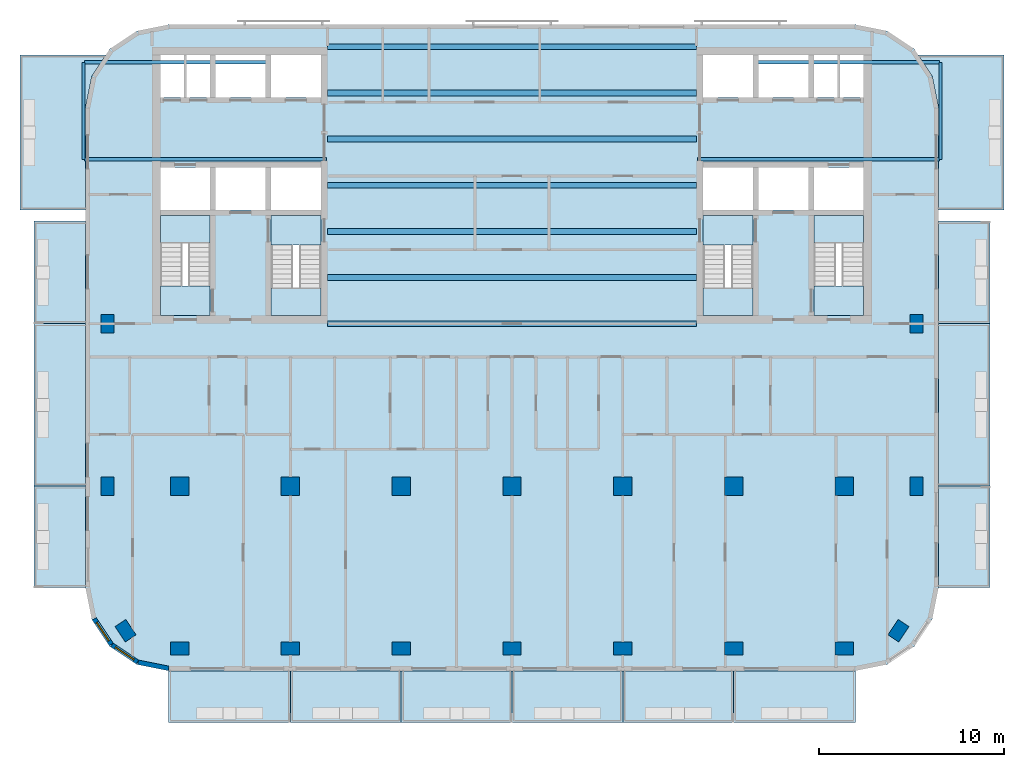
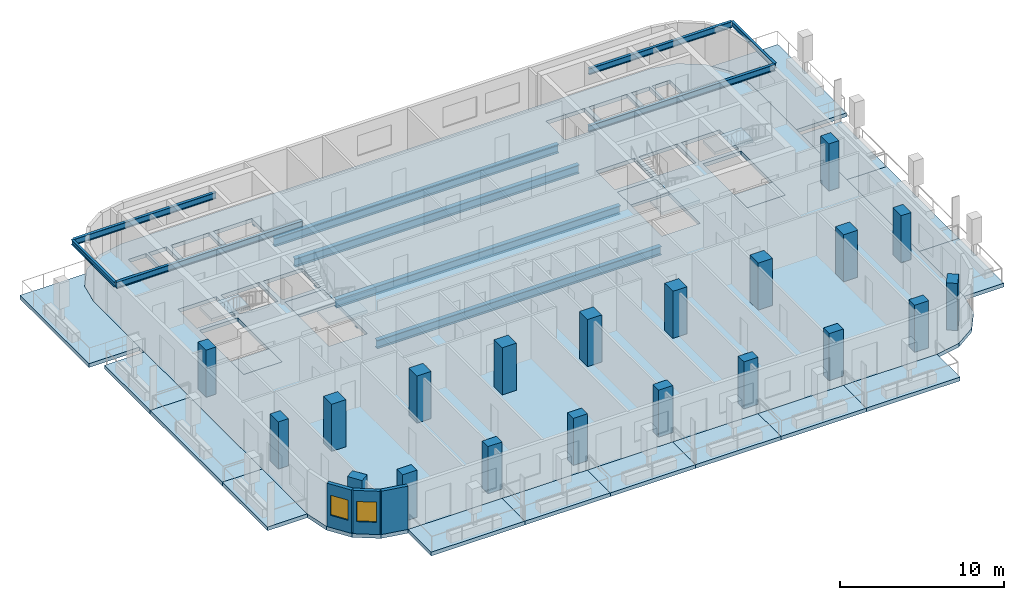
# One storey, part 1 of 11: 23 slabs, 20 columns, 13 beams, 3 walls, 2 windows, 2 openings, 4 elements without a shape of their own.
"""IFC4 building model written with IfcOpenShell, lengths in metres."""

from ifc_helpers import new_model, si_unit, direction, frame, frame_2d, origin, origin_2d, place, context, subcontext, project, spatial, polyline, rectangle, i_section, outline, extrude, material, layer, layer_set, material_profile, profile_set, type_object, element, fill, aggregate, save


model = new_model("IFC4")

# Units and contexts
model_context = context("Model", 3, precision=1e-05, world=origin(), true_north=direction((0.0, 1.0)))
body_context = subcontext(model_context, "Body", "Model", "MODEL_VIEW")
ifc_project = project(units=[si_unit("LENGTHUNIT", "METRE"), si_unit("AREAUNIT", "SQUARE_METRE"), si_unit("VOLUMEUNIT", "CUBIC_METRE"), si_unit("PLANEANGLEUNIT", "RADIAN"), si_unit("MASSUNIT", "GRAM", prefix="KILO")], contexts=[model_context])

# Site, building, storey
site_placement = place(None, origin())
site = spatial("IfcSite", under=ifc_project, at=site_placement, CompositionType="ELEMENT")
building_placement = place(site_placement, origin())
building = spatial("IfcBuilding", under=site, at=building_placement, Name="Torana Hotel and Residences", CompositionType="ELEMENT")
storey_placement = place(building_placement, frame((0.0, 0.0, 287.60009765625)))
storey = spatial("IfcBuildingStorey", under=building, at=storey_placement, Name="L76", CompositionType="ELEMENT", Elevation=287.60009765625)

# Columns
ifc_material_1 = material(Name="Concrete C50/60", Category="concrete")
ifc_material_profile_1 = material_profile(ifc_material_1, rectangle(XDim=1.0, YDim=1.0, at=origin_2d()), Name="RC 1000x1000")
ifc_profile_set_1 = profile_set([ifc_material_profile_1], Name="Concrete C50/60")
column_type_1 = type_object("IfcColumnType", Name="COLUMN RC 1000x1000 C50/60", PredefinedType="COLUMN", material=ifc_profile_set_1)
for number, where, z_axis, x_axis, name in (
    (1, (-18.0, -23.800048828125, 0.0), (0.0, 0.0, 1.0), (1.0, 0.0, 0.0), "Column L76"),
    (2, (-12.0, -23.800048828125, 0.0), (0.0, 0.0, 1.0), (1.0, 0.0, 0.0), "Column L76"),
    (3, (-6.0, -23.800048828125, 0.0), (0.0, 0.0, 1.0), (1.0, 0.0, 0.0), "Column L76"),
    (4, (0.0, -23.800048828125, 0.0), (0.0, 0.0, 1.0), (1.0, 0.0, 0.0), "Column L76"),
    (5, (6.0, -23.800048828125, 0.0), (0.0, 0.0, 1.0), (1.0, 0.0, 0.0), "Column L76"),
    (6, (12.0, -23.800048828125, 0.0), (0.0, 0.0, 1.0), (1.0, 0.0, 0.0), "Column L76"),
    (7, (18.0, -23.800048828125, 0.0), (0.0, 0.0, 1.0), (1.0, 0.0, 0.0), "Column L76"),
):
    element("IfcColumn", number, at=place(storey_placement, frame(where, z_axis=z_axis, x_axis=x_axis)), inside=storey, type_object=column_type_1, Name=name, PredefinedType="COLUMN", context=body_context, shape_type="SweptSolid", body=[
        extrude(rectangle(XDim=1.0, YDim=1.0, at=origin_2d()), origin(), (0.0, 0.0, 1.0), 3.5),
    ])
ifc_material_2 = material(Name="Concrete C50/60", Category="concrete")
ifc_material_profile_2 = material_profile(ifc_material_2, rectangle(XDim=1.0, YDim=0.699951171875, at=origin_2d()), Name="RC 1000x700")
ifc_profile_set_2 = profile_set([ifc_material_profile_2], Name="Concrete C50/60")
column_type_2 = type_object("IfcColumnType", Name="COLUMN RC 1000x700 C50/60", PredefinedType="COLUMN", material=ifc_profile_set_2)
for number, where, z_axis, x_axis, name in (
    (8, (-21.89990234375, -23.800048828125, 0.0), (0.0, 0.0, 1.0), (0.0, 1.0, 0.0), "Column L76"),
    (9, (-21.89990234375, -15.0, 0.0), (0.0, 0.0, 1.0), (0.0, 1.0, 0.0), "Column L76"),
    (10, (-20.93310546875, -31.633056640625, 0.0), (0.0, 0.0, 1.0), (-0.555584744817, 0.831459915646, 0.0), "Column L76"),
    (11, (-18.0, -32.60009765625, 0.0), (0.0, 0.0, 1.0), (1.0, 0.0, 0.0), "Column L76"),
    (12, (-12.0, -32.60009765625, 0.0), (0.0, 0.0, 1.0), (1.0, 0.0, 0.0), "Column L76"),
    (13, (-6.0, -32.60009765625, 0.0), (0.0, 0.0, 1.0), (1.0, 0.0, 0.0), "Column L76"),
    (14, (0.0, -32.60009765625, 0.0), (0.0, 0.0, 1.0), (1.0, 0.0, 0.0), "Column L76"),
    (15, (6.0, -32.60009765625, 0.0), (0.0, 0.0, 1.0), (1.0, 0.0, 0.0), "Column L76"),
    (16, (12.0, -32.60009765625, 0.0), (0.0, 0.0, 1.0), (1.0, 0.0, 0.0), "Column L76"),
    (17, (18.0, -32.60009765625, 0.0), (0.0, 0.0, 1.0), (1.0, 0.0, 0.0), "Column L76"),
    (18, (20.93310546875, -31.633056640625, 0.0), (0.0, 0.0, 1.0), (0.555584744817, 0.831459915646, 0.0), "Column L76"),
    (19, (21.89990234375, -23.800048828125, 0.0), (0.0, 0.0, 1.0), (0.0, 1.0, 0.0), "Column L76"),
    (20, (21.89990234375, -15.0, 0.0), (0.0, 0.0, 1.0), (0.0, 1.0, 0.0), "Column L76"),
):
    element("IfcColumn", number, at=place(storey_placement, frame(where, z_axis=z_axis, x_axis=x_axis)), inside=storey, type_object=column_type_2, Name=name, PredefinedType="COLUMN", context=body_context, shape_type="SweptSolid", body=[
        extrude(rectangle(XDim=1.0, YDim=0.699951171875, at=origin_2d()), origin(), (0.0, 0.0, 1.0), 3.5),
    ])

# Beams
ifc_material_3 = material(Name="Steel S355", Category="steel")
ifc_material_profile_3 = material_profile(ifc_material_3, i_section(OverallWidth=0.19287109375, OverallDepth=0.46728515625, WebThickness=0.011474609375, FlangeThickness=0.01953125, FilletRadius=0.01025390625, at=origin_2d()), Name="457x191x98 UB")
ifc_profile_set_3 = profile_set([ifc_material_profile_3], Name="Steel S355")
beam_type_1 = type_object("IfcBeamType", Name="BALCONY CANTILEVER BEAM 457x191x98 UB", PredefinedType="BEAM", material=ifc_profile_set_3)
beam_1_placement = place(storey_placement, frame((-23.1484375, -6.10009765625, 2.986328125), z_axis=(1.0, 0.0, 0.0), x_axis=(0.0, 1.0, 0.0)))
element("IfcBeam", 21, at=beam_1_placement, inside=storey, type_object=beam_type_1, Name="Balcony cantilever beam", PredefinedType="BEAM", context=body_context, shape_type="SweptSolid", body=[
    extrude(i_section(OverallWidth=0.19287109375, OverallDepth=0.46728515625, WebThickness=0.011474609375, FlangeThickness=0.01953125, FilletRadius=0.01025390625, at=origin_2d()), origin(), (0.0, 0.0, 1.0), 13.098388671875),
])
beam_2_placement = place(storey_placement, frame((-23.1484375, -0.85009765625, 2.986328125), z_axis=(1.0, 0.0, 0.0), x_axis=(0.0, 1.0, 0.0)))
element("IfcBeam", 22, at=beam_2_placement, inside=storey, type_object=beam_type_1, Name="Balcony cantilever beam", PredefinedType="BEAM", context=body_context, shape_type="SweptSolid", body=[
    extrude(i_section(OverallWidth=0.19287109375, OverallDepth=0.46728515625, WebThickness=0.011474609375, FlangeThickness=0.01953125, FilletRadius=0.01025390625, at=origin_2d()), origin(), (0.0, 0.0, 1.0), 10.04833984375),
])
beam_3_placement = place(storey_placement, frame((23.1484375, -6.10009765625, 2.986328125), z_axis=(-1.0, 0.0, 0.0), x_axis=(0.0, -1.0, 0.0)))
element("IfcBeam", 23, at=beam_3_placement, inside=storey, type_object=beam_type_1, Name="Balcony cantilever beam", PredefinedType="BEAM", context=body_context, shape_type="SweptSolid", body=[
    extrude(i_section(OverallWidth=0.19287109375, OverallDepth=0.46728515625, WebThickness=0.011474609375, FlangeThickness=0.01953125, FilletRadius=0.01025390625, at=origin_2d()), origin(), (0.0, 0.0, 1.0), 13.098388671875),
])
beam_4_placement = place(storey_placement, frame((23.1484375, -0.85009765625, 2.986328125), z_axis=(-1.0, 0.0, 0.0), x_axis=(0.0, -1.0, 0.0)))
element("IfcBeam", 24, at=beam_4_placement, inside=storey, type_object=beam_type_1, Name="Balcony cantilever beam", PredefinedType="BEAM", context=body_context, shape_type="SweptSolid", body=[
    extrude(i_section(OverallWidth=0.19287109375, OverallDepth=0.46728515625, WebThickness=0.011474609375, FlangeThickness=0.01953125, FilletRadius=0.01025390625, at=origin_2d()), origin(), (0.0, 0.0, 1.0), 10.04833984375),
])
ifc_material_4 = material(Name="Steel S355", Category="steel")
ifc_material_profile_4 = material_profile(ifc_material_4, i_section(OverallWidth=0.173095703125, OverallDepth=0.36328125, WebThickness=0.009033203125, FlangeThickness=0.015625, FilletRadius=0.01025390625, at=origin_2d()), Name="356x171x67 UB")
ifc_profile_set_4 = profile_set([ifc_material_profile_4], Name="Steel S355")
beam_type_2 = type_object("IfcBeamType", Name="BALCONY TIP BEAM 356x171x67 UB", PredefinedType="BEAM", material=ifc_profile_set_4)
for number, where, z_axis, x_axis, name in (
    (25, (-23.205078125, -6.10009765625, 3.0380859375), (0.0, 1.0, 0.0), (-1.0, 0.0, 0.0), "Balcony tip beam"),
    (26, (23.205078125, -6.10009765625, 3.0380859375), (0.0, 1.0, 0.0), (-1.0, 0.0, 0.0), "Balcony tip beam"),
):
    element("IfcBeam", number, at=place(storey_placement, frame(where, z_axis=z_axis, x_axis=x_axis)), inside=storey, type_object=beam_type_2, Name=name, PredefinedType="BEAM", context=body_context, shape_type="SweptSolid", body=[
        extrude(i_section(OverallWidth=0.173095703125, OverallDepth=0.36328125, WebThickness=0.009033203125, FlangeThickness=0.015625, FilletRadius=0.01025390625, at=origin_2d()), origin(), (0.0, 0.0, 1.0), 5.25),
    ])
ifc_material_5 = material(Name="Steel S355", Category="steel")
ifc_material_profile_5 = material_profile(ifc_material_5, i_section(OverallWidth=0.311279296875, OverallDepth=0.6357421875, WebThickness=0.018310546875, FlangeThickness=0.031494140625, FilletRadius=0.0166015625, at=origin_2d()), Name="610x305x238 UB")
ifc_profile_set_5 = profile_set([ifc_material_profile_5], Name="Steel S355")
beam_type_3 = type_object("IfcBeamType", Name="STEEL GIRDER 610x305x238 UB", PredefinedType="BEAM", material=ifc_profile_set_5)
for number, where, z_axis, x_axis, name in (
    (27, (-10.0, -15.0, -0.597900390625), (1.0, 0.0, 0.0), (0.0, 1.0, 0.0), "Floor girder"),
    (28, (-10.0, -12.5, -0.597900390625), (1.0, 0.0, 0.0), (0.0, 1.0, 0.0), "Floor girder"),
    (29, (-10.0, -10.0, -0.597900390625), (1.0, 0.0, 0.0), (0.0, 1.0, 0.0), "Floor girder"),
    (30, (-10.0, -7.5, -0.597900390625), (1.0, 0.0, 0.0), (0.0, 1.0, 0.0), "Floor girder"),
    (31, (-10.0, -5.0, -0.597900390625), (1.0, 0.0, 0.0), (0.0, 1.0, 0.0), "Floor girder"),
    (32, (-10.0, -2.5, -0.597900390625), (1.0, 0.0, 0.0), (0.0, 1.0, 0.0), "Floor girder"),
    (33, (-10.0, 0.0, -0.597900390625), (1.0, 0.0, 0.0), (0.0, 1.0, 0.0), "Floor girder"),
):
    element("IfcBeam", number, at=place(storey_placement, frame(where, z_axis=z_axis, x_axis=x_axis)), inside=storey, type_object=beam_type_3, Name=name, PredefinedType="BEAM", context=body_context, shape_type="SweptSolid", body=[
        extrude(i_section(OverallWidth=0.311279296875, OverallDepth=0.6357421875, WebThickness=0.018310546875, FlangeThickness=0.031494140625, FilletRadius=0.0166015625, at=origin_2d()), origin(), (0.0, 0.0, 1.0), 20.0),
    ])

# Slabs
ifc_material_6 = material(Name="Concrete C40/50", Category="concrete")
ifc_layer_1 = layer(ifc_material_6, 0.280029296875)
ifc_layer_set_1 = layer_set([ifc_layer_1], Name="BAL1 BALCONY SLAB 280")
slab_type_1 = type_object("IfcSlabType", Name="BAL1 BALCONY SLAB 280", PredefinedType="USERDEFINED", material=ifc_layer_set_1)
slab_1_placement = place(storey_placement, frame((0.0, 0.0, -0.280029296875)))
element("IfcSlab", 34, at=slab_1_placement, inside=storey, type_object=slab_type_1, Name="Balcony 01", ObjectType="BALCONY", PredefinedType="USERDEFINED", context=body_context, shape_type="SweptSolid", body=[
    extrude(outline(polyline([(-18.60009765625, -36.60009765625), (-12.0, -36.60009765625), (-12.0, -33.800048828125), (-18.60009765625, -33.800048828125), (-18.60009765625, -36.60009765625)])), origin(), (0.0, 0.0, 1.0), 0.280029296875),
])
slab_2_placement = place(storey_placement, frame((0.0, 0.0, -0.280029296875)))
element("IfcSlab", 35, at=slab_2_placement, inside=storey, type_object=slab_type_1, Name="Balcony 02", ObjectType="BALCONY", PredefinedType="USERDEFINED", context=body_context, shape_type="SweptSolid", body=[
    extrude(outline(polyline([(-12.0, -36.60009765625), (-6.0, -36.60009765625), (-6.0, -33.800048828125), (-12.0, -33.800048828125), (-12.0, -36.60009765625)])), origin(), (0.0, 0.0, 1.0), 0.280029296875),
])
slab_3_placement = place(storey_placement, frame((0.0, 0.0, -0.280029296875)))
element("IfcSlab", 36, at=slab_3_placement, inside=storey, type_object=slab_type_1, Name="Balcony 03", ObjectType="BALCONY", PredefinedType="USERDEFINED", context=body_context, shape_type="SweptSolid", body=[
    extrude(outline(polyline([(-6.0, -36.60009765625), (0.0, -36.60009765625), (0.0, -33.800048828125), (-6.0, -33.800048828125), (-6.0, -36.60009765625)])), origin(), (0.0, 0.0, 1.0), 0.280029296875),
])
slab_4_placement = place(storey_placement, frame((0.0, 0.0, -0.280029296875)))
element("IfcSlab", 37, at=slab_4_placement, inside=storey, type_object=slab_type_1, Name="Balcony 04", ObjectType="BALCONY", PredefinedType="USERDEFINED", context=body_context, shape_type="SweptSolid", body=[
    extrude(outline(polyline([(0.0, -36.60009765625), (6.0, -36.60009765625), (6.0, -33.800048828125), (0.0, -33.800048828125), (0.0, -36.60009765625)])), origin(), (0.0, 0.0, 1.0), 0.280029296875),
])
slab_5_placement = place(storey_placement, frame((0.0, 0.0, -0.280029296875)))
element("IfcSlab", 38, at=slab_5_placement, inside=storey, type_object=slab_type_1, Name="Balcony 05", ObjectType="BALCONY", PredefinedType="USERDEFINED", context=body_context, shape_type="SweptSolid", body=[
    extrude(outline(polyline([(6.0, -36.60009765625), (12.0, -36.60009765625), (12.0, -33.800048828125), (6.0, -33.800048828125), (6.0, -36.60009765625)])), origin(), (0.0, 0.0, 1.0), 0.280029296875),
])
slab_6_placement = place(storey_placement, frame((0.0, 0.0, -0.280029296875)))
element("IfcSlab", 39, at=slab_6_placement, inside=storey, type_object=slab_type_1, Name="Balcony 06", ObjectType="BALCONY", PredefinedType="USERDEFINED", context=body_context, shape_type="SweptSolid", body=[
    extrude(outline(polyline([(12.0, -36.60009765625), (18.60009765625, -36.60009765625), (18.60009765625, -33.800048828125), (12.0, -33.800048828125), (12.0, -36.60009765625)])), origin(), (0.0, 0.0, 1.0), 0.280029296875),
])
slab_7_placement = place(storey_placement, frame((0.0, 0.0, -0.280029296875)))
element("IfcSlab", 40, at=slab_7_placement, inside=storey, type_object=slab_type_1, Name="Balcony 07", ObjectType="BALCONY", PredefinedType="USERDEFINED", context=body_context, shape_type="SweptSolid", body=[
    extrude(outline(polyline([(-25.89990234375, -29.300048828125), (-23.10009765625, -29.300048828125), (-23.10009765625, -23.800048828125), (-25.89990234375, -23.800048828125), (-25.89990234375, -29.300048828125)])), origin(), (0.0, 0.0, 1.0), 0.280029296875),
])
slab_8_placement = place(storey_placement, frame((0.0, 0.0, -0.280029296875)))
element("IfcSlab", 41, at=slab_8_placement, inside=storey, type_object=slab_type_1, Name="Balcony 08", ObjectType="BALCONY", PredefinedType="USERDEFINED", context=body_context, shape_type="SweptSolid", body=[
    extrude(outline(polyline([(-25.89990234375, -23.800048828125), (-23.10009765625, -23.800048828125), (-23.10009765625, -15.0), (-25.89990234375, -15.0), (-25.89990234375, -23.800048828125)])), origin(), (0.0, 0.0, 1.0), 0.280029296875),
])
slab_9_placement = place(storey_placement, frame((0.0, 0.0, -0.280029296875)))
element("IfcSlab", 42, at=slab_9_placement, inside=storey, type_object=slab_type_1, Name="Balcony 09", ObjectType="BALCONY", PredefinedType="USERDEFINED", context=body_context, shape_type="SweptSolid", body=[
    extrude(outline(polyline([(-25.89990234375, -15.0), (-23.10009765625, -15.0), (-23.10009765625, -9.449951171875), (-25.89990234375, -9.449951171875), (-25.89990234375, -15.0)])), origin(), (0.0, 0.0, 1.0), 0.280029296875),
])
slab_10_placement = place(storey_placement, frame((0.0, 0.0, -0.280029296875)))
element("IfcSlab", 43, at=slab_10_placement, inside=storey, type_object=slab_type_1, Name="Balcony 10", ObjectType="BALCONY", PredefinedType="USERDEFINED", context=body_context, shape_type="SweptSolid", body=[
    extrude(outline(polyline([(-26.64990234375, -8.85009765625), (-23.10009765625, -8.85009765625), (-23.10009765625, -3.300048828125), (-22.757568359375, -1.577880859375), (-22.00390625, -0.449951171875), (-26.64990234375, -0.449951171875), (-26.64990234375, -8.85009765625)])), origin(), (0.0, 0.0, 1.0), 0.280029296875),
])
slab_11_placement = place(storey_placement, frame((0.0, 0.0, -0.280029296875)))
element("IfcSlab", 44, at=slab_11_placement, inside=storey, type_object=slab_type_1, Name="Balcony 11", ObjectType="BALCONY", PredefinedType="USERDEFINED", context=body_context, shape_type="SweptSolid", body=[
    extrude(outline(polyline([(23.10009765625, -29.300048828125), (25.89990234375, -29.300048828125), (25.89990234375, -23.800048828125), (23.10009765625, -23.800048828125), (23.10009765625, -29.300048828125)])), origin(), (0.0, 0.0, 1.0), 0.280029296875),
])
slab_12_placement = place(storey_placement, frame((0.0, 0.0, -0.280029296875)))
element("IfcSlab", 45, at=slab_12_placement, inside=storey, type_object=slab_type_1, Name="Balcony 12", ObjectType="BALCONY", PredefinedType="USERDEFINED", context=body_context, shape_type="SweptSolid", body=[
    extrude(outline(polyline([(23.10009765625, -23.800048828125), (25.89990234375, -23.800048828125), (25.89990234375, -15.0), (23.10009765625, -15.0), (23.10009765625, -23.800048828125)])), origin(), (0.0, 0.0, 1.0), 0.280029296875),
])
slab_13_placement = place(storey_placement, frame((0.0, 0.0, -0.280029296875)))
element("IfcSlab", 46, at=slab_13_placement, inside=storey, type_object=slab_type_1, Name="Balcony 13", ObjectType="BALCONY", PredefinedType="USERDEFINED", context=body_context, shape_type="SweptSolid", body=[
    extrude(outline(polyline([(23.10009765625, -15.0), (25.89990234375, -15.0), (25.89990234375, -9.449951171875), (23.10009765625, -9.449951171875), (23.10009765625, -15.0)])), origin(), (0.0, 0.0, 1.0), 0.280029296875),
])
slab_14_placement = place(storey_placement, frame((0.0, 0.0, -0.280029296875)))
element("IfcSlab", 47, at=slab_14_placement, inside=storey, type_object=slab_type_1, Name="Balcony 14", ObjectType="BALCONY", PredefinedType="USERDEFINED", context=body_context, shape_type="SweptSolid", body=[
    extrude(outline(polyline([(23.10009765625, -8.85009765625), (26.64990234375, -8.85009765625), (26.64990234375, -0.449951171875), (22.00390625, -0.449951171875), (22.757568359375, -1.577880859375), (23.10009765625, -3.300048828125), (23.10009765625, -8.85009765625)])), origin(), (0.0, 0.0, 1.0), 0.280029296875),
])
ifc_material_7 = material(Name="Concrete C40/50", Category="concrete")
ifc_layer_2 = layer(ifc_material_7, 0.280029296875)
ifc_layer_set_2 = layer_set([ifc_layer_2], Name="FLOOR SLAB PT 280")
slab_type_2 = type_object("IfcSlabType", Name="FLOOR SLAB PT 280", PredefinedType="FLOOR", material=ifc_layer_set_2)
slab_15_placement = place(storey_placement, frame((0.0, 0.0, -0.280029296875)))
element("IfcSlab", 48, at=slab_15_placement, inside=storey, type_object=slab_type_2, Name="Floor slab", PredefinedType="FLOOR", context=body_context, shape_type="SweptSolid", body=[
    extrude(outline(polyline([(23.10009765625, -3.300048828125), (22.757568359375, -1.577880859375), (21.781982421875, -0.117919921875), (20.322021484375, 0.857421875), (18.60009765625, 1.199951171875), (-18.60009765625, 1.199951171875), (-20.322021484375, 0.857421875), (-21.781982421875, -0.117919921875), (-22.757568359375, -1.577880859375), (-23.10009765625, -3.300048828125), (-23.10009765625, -29.300048828125), (-22.757568359375, -31.022216796875), (-21.781982421875, -32.48193359375), (-20.322021484375, -33.45751953125), (-18.60009765625, -33.800048828125), (18.60009765625, -33.800048828125), (20.322021484375, -33.45751953125), (21.781982421875, -32.48193359375), (22.757568359375, -31.022216796875), (23.10009765625, -29.300048828125), (23.10009765625, -3.300048828125)]), holes=[polyline([(-13.050048828125, -14.550048828125), (-10.35009765625, -14.550048828125), (-10.35009765625, -9.14990234375), (-13.050048828125, -9.14990234375), (-13.050048828125, -14.550048828125)]), polyline([(-19.050048828125, -14.550048828125), (-16.35009765625, -14.550048828125), (-16.35009765625, -9.14990234375), (-19.050048828125, -9.14990234375), (-19.050048828125, -14.550048828125)]), polyline([(-17.625, -2.75), (-16.35009765625, -2.75), (-16.35009765625, -0.449951171875), (-17.625, -0.449951171875), (-17.625, -2.75)]), polyline([(-19.050048828125, -2.75), (-17.77490234375, -2.75), (-17.77490234375, -0.449951171875), (-19.050048828125, -0.449951171875), (-19.050048828125, -2.75)]), polyline([(-13.050048828125, -2.75), (-10.35009765625, -2.75), (-10.35009765625, -0.449951171875), (-13.050048828125, -0.449951171875), (-13.050048828125, -2.75)]), polyline([(-16.050048828125, -2.75), (-13.35009765625, -2.75), (-13.35009765625, -0.449951171875), (-16.050048828125, -0.449951171875), (-16.050048828125, -2.75)]), polyline([(-13.050048828125, -8.85009765625), (-10.35009765625, -8.85009765625), (-10.35009765625, -6.550048828125), (-13.050048828125, -6.550048828125), (-13.050048828125, -8.85009765625)]), polyline([(-16.050048828125, -8.85009765625), (-13.35009765625, -8.85009765625), (-13.35009765625, -6.550048828125), (-16.050048828125, -6.550048828125), (-16.050048828125, -8.85009765625)]), polyline([(-19.050048828125, -8.85009765625), (-16.35009765625, -8.85009765625), (-16.35009765625, -6.550048828125), (-19.050048828125, -6.550048828125), (-19.050048828125, -8.85009765625)]), polyline([(10.35009765625, -14.550048828125), (13.050048828125, -14.550048828125), (13.050048828125, -9.14990234375), (10.35009765625, -9.14990234375), (10.35009765625, -14.550048828125)]), polyline([(16.35009765625, -14.550048828125), (19.050048828125, -14.550048828125), (19.050048828125, -9.14990234375), (16.35009765625, -9.14990234375), (16.35009765625, -14.550048828125)]), polyline([(16.35009765625, -2.75), (17.625, -2.75), (17.625, -0.449951171875), (16.35009765625, -0.449951171875), (16.35009765625, -2.75)]), polyline([(17.77490234375, -2.75), (19.050048828125, -2.75), (19.050048828125, -0.449951171875), (17.77490234375, -0.449951171875), (17.77490234375, -2.75)]), polyline([(10.35009765625, -2.75), (13.050048828125, -2.75), (13.050048828125, -0.449951171875), (10.35009765625, -0.449951171875), (10.35009765625, -2.75)]), polyline([(13.35009765625, -2.75), (16.050048828125, -2.75), (16.050048828125, -0.449951171875), (13.35009765625, -0.449951171875), (13.35009765625, -2.75)]), polyline([(10.35009765625, -8.85009765625), (13.050048828125, -8.85009765625), (13.050048828125, -6.550048828125), (10.35009765625, -6.550048828125), (10.35009765625, -8.85009765625)]), polyline([(13.35009765625, -8.85009765625), (16.050048828125, -8.85009765625), (16.050048828125, -6.550048828125), (13.35009765625, -6.550048828125), (13.35009765625, -8.85009765625)]), polyline([(16.35009765625, -8.85009765625), (19.050048828125, -8.85009765625), (19.050048828125, -6.550048828125), (16.35009765625, -6.550048828125), (16.35009765625, -8.85009765625)])]), origin(), (0.0, 0.0, 1.0), 0.280029296875),
])

# Stair, slabs
ifc_material_8 = material(Name="Concrete C40/50 precast", Category="concrete")
stair_type_1 = type_object("IfcStairType", Name="STAIR ST1 HALF TURN 1200", PredefinedType="HALF_TURN_STAIR", material=ifc_material_8)
stair_1_placement = place(storey_placement, origin())
stair_1 = element("IfcStair", 49, at=stair_1_placement, inside=storey, type_object=stair_type_1, Name="Stair ST1 L76", PredefinedType="HALF_TURN_STAIR")
ifc_material_9 = material(Name="Concrete C40/50 precast", Category="concrete")
ifc_layer_3 = layer(ifc_material_9, 0.199951171875)
ifc_layer_set_3 = layer_set([ifc_layer_3], Name="STAIR LANDING 200")
slab_type_3 = type_object("IfcSlabType", Name="STAIR LANDING 200", PredefinedType="LANDING", material=ifc_layer_set_3)
slab_16_placement = place(storey_placement, frame((0.0, 0.0, 1.5498046875)))
slab_16 = element("IfcSlab", 50, at=slab_16_placement, type_object=slab_type_3, Name="ST1 landing 1", PredefinedType="LANDING", context=body_context, shape_type="SweptSolid", body=[
    extrude(outline(polyline([(-13.050048828125, -14.550048828125), (-10.35009765625, -14.550048828125), (-10.35009765625, -13.090087890625), (-13.050048828125, -13.090087890625), (-13.050048828125, -14.550048828125)])), origin(), (0.0, 0.0, 1.0), 0.2001953125),
])
slab_17_placement = place(storey_placement, frame((0.0, 0.0, -0.2001953125)))
slab_17 = element("IfcSlab", 51, at=slab_17_placement, type_object=slab_type_3, Name="ST1 landing 2", PredefinedType="LANDING", context=body_context, shape_type="SweptSolid", body=[
    extrude(outline(polyline([(-13.050048828125, -10.75), (-10.35009765625, -10.75), (-10.35009765625, -9.14990234375), (-13.050048828125, -9.14990234375), (-13.050048828125, -10.75)])), origin(), (0.0, 0.0, 1.0), 0.2001953125),
])
aggregate(stair_1, [slab_16, slab_17])

ifc_material_10 = material(Name="Concrete C40/50 precast", Category="concrete")
stair_type_2 = type_object("IfcStairType", Name="STAIR ST2 HALF TURN 1200", PredefinedType="HALF_TURN_STAIR", material=ifc_material_10)
stair_2_placement = place(storey_placement, origin())
stair_2 = element("IfcStair", 52, at=stair_2_placement, inside=storey, type_object=stair_type_2, Name="Stair ST2 L76", PredefinedType="HALF_TURN_STAIR")
slab_18_placement = place(storey_placement, frame((0.0, 0.0, 1.5498046875)))
slab_18 = element("IfcSlab", 53, at=slab_18_placement, type_object=slab_type_3, Name="ST2 landing 1", PredefinedType="LANDING", context=body_context, shape_type="SweptSolid", body=[
    extrude(outline(polyline([(-19.050048828125, -10.610107421875), (-16.35009765625, -10.610107421875), (-16.35009765625, -9.14990234375), (-19.050048828125, -9.14990234375), (-19.050048828125, -10.610107421875)])), origin(), (0.0, 0.0, 1.0), 0.2001953125),
])
slab_19_placement = place(storey_placement, frame((0.0, 0.0, -0.2001953125)))
slab_19 = element("IfcSlab", 54, at=slab_19_placement, type_object=slab_type_3, Name="ST2 landing 2", PredefinedType="LANDING", context=body_context, shape_type="SweptSolid", body=[
    extrude(outline(polyline([(-19.050048828125, -14.550048828125), (-16.35009765625, -14.550048828125), (-16.35009765625, -12.949951171875), (-19.050048828125, -12.949951171875), (-19.050048828125, -14.550048828125)])), origin(), (0.0, 0.0, 1.0), 0.2001953125),
])
aggregate(stair_2, [slab_18, slab_19])

ifc_material_11 = material(Name="Concrete C40/50 precast", Category="concrete")
stair_type_3 = type_object("IfcStairType", Name="STAIR ST3 HALF TURN 1200", PredefinedType="HALF_TURN_STAIR", material=ifc_material_11)
stair_3_placement = place(storey_placement, origin())
stair_3 = element("IfcStair", 55, at=stair_3_placement, inside=storey, type_object=stair_type_3, Name="Stair ST3 L76", PredefinedType="HALF_TURN_STAIR")
slab_20_placement = place(storey_placement, frame((0.0, 0.0, 1.5498046875)))
slab_20 = element("IfcSlab", 56, at=slab_20_placement, type_object=slab_type_3, Name="ST3 landing 1", PredefinedType="LANDING", context=body_context, shape_type="SweptSolid", body=[
    extrude(outline(polyline([(10.35009765625, -14.550048828125), (13.050048828125, -14.550048828125), (13.050048828125, -13.090087890625), (10.35009765625, -13.090087890625), (10.35009765625, -14.550048828125)])), origin(), (0.0, 0.0, 1.0), 0.2001953125),
])
slab_21_placement = place(storey_placement, frame((0.0, 0.0, -0.2001953125)))
slab_21 = element("IfcSlab", 57, at=slab_21_placement, type_object=slab_type_3, Name="ST3 landing 2", PredefinedType="LANDING", context=body_context, shape_type="SweptSolid", body=[
    extrude(outline(polyline([(10.35009765625, -10.75), (13.050048828125, -10.75), (13.050048828125, -9.14990234375), (10.35009765625, -9.14990234375), (10.35009765625, -10.75)])), origin(), (0.0, 0.0, 1.0), 0.2001953125),
])
aggregate(stair_3, [slab_20, slab_21])

ifc_material_12 = material(Name="Concrete C40/50 precast", Category="concrete")
stair_type_4 = type_object("IfcStairType", Name="STAIR ST4 HALF TURN 1200", PredefinedType="HALF_TURN_STAIR", material=ifc_material_12)
stair_4_placement = place(storey_placement, origin())
stair_4 = element("IfcStair", 58, at=stair_4_placement, inside=storey, type_object=stair_type_4, Name="Stair ST4 L76", PredefinedType="HALF_TURN_STAIR")
slab_22_placement = place(storey_placement, frame((0.0, 0.0, 1.5498046875)))
slab_22 = element("IfcSlab", 59, at=slab_22_placement, type_object=slab_type_3, Name="ST4 landing 1", PredefinedType="LANDING", context=body_context, shape_type="SweptSolid", body=[
    extrude(outline(polyline([(16.35009765625, -10.610107421875), (19.050048828125, -10.610107421875), (19.050048828125, -9.14990234375), (16.35009765625, -9.14990234375), (16.35009765625, -10.610107421875)])), origin(), (0.0, 0.0, 1.0), 0.2001953125),
])
slab_23_placement = place(storey_placement, frame((0.0, 0.0, -0.2001953125)))
slab_23 = element("IfcSlab", 60, at=slab_23_placement, type_object=slab_type_3, Name="ST4 landing 2", PredefinedType="LANDING", context=body_context, shape_type="SweptSolid", body=[
    extrude(outline(polyline([(16.35009765625, -14.550048828125), (19.050048828125, -14.550048828125), (19.050048828125, -12.949951171875), (16.35009765625, -12.949951171875), (16.35009765625, -14.550048828125)])), origin(), (0.0, 0.0, 1.0), 0.2001953125),
])
aggregate(stair_4, [slab_22, slab_23])

# Wall, opening, window
ifc_material_13 = material(Name="Black aluminium composite panel", Category="aluminium")
ifc_layer_4 = layer(ifc_material_13, 0.00390625, Name="Cladding", Category="cladding")
ifc_material_14 = material(Name="Ventilated air cavity")
ifc_layer_5 = layer(ifc_material_14, 0.0400390625, Name="Ventilated cavity", Category="cavity")
ifc_material_15 = material(Name="Mineral wool insulation")
ifc_layer_6 = layer(ifc_material_15, 0.090087890625, Name="Insulation", Category="insulation")
ifc_material_16 = material(Name="Steel S280GD", Category="steel")
ifc_layer_7 = layer(ifc_material_16, 0.092041015625, Name="Steel stud frame", Category="structure")
ifc_material_17 = material(Name="Fire rated plasterboard")
ifc_layer_8 = layer(ifc_material_17, 0.011962890625, Name="Inner board", Category="finish")
ifc_layer_9 = layer(ifc_material_17, 0.011962890625, Name="Second board", Category="finish")
ifc_layer_set_4 = layer_set([ifc_layer_4, ifc_layer_5, ifc_layer_6, ifc_layer_7, ifc_layer_8, ifc_layer_9], Name="EW1 EXTERNAL WALL BLACK METAL CLAD 250")
wall_type = type_object("IfcWallType", Name="EW1 EXTERNAL WALL BLACK METAL CLAD 250", PredefinedType="SOLIDWALL", material=ifc_layer_set_4)
wall_1_placement = place(storey_placement, frame((-22.6259765625, -30.993896484375, 0.0), z_axis=(0.0, 0.0, 1.0), x_axis=(0.55555029066, -0.831482937015, 0.0)))
wall_1 = element("IfcWall", 61, at=wall_1_placement, inside=storey, type_object=wall_type, Name="External wall L76 e0.11", PredefinedType="SOLIDWALL", context=body_context, shape_type="SweptSolid", body=[
    extrude(rectangle(XDim=1.65625, YDim=0.25, at=frame_2d((0.828125, 0.0))), origin(), (0.0, 0.0, 1.0), 3.219970703125),
])
opening_1_placement = place(wall_1_placement, frame((0.228271484375, 0.0, 0.89990234375)))
opening_1 = element("IfcOpeningElement", 62, at=opening_1_placement, cuts=wall_1, Name="Opening W5", PredefinedType="OPENING", context=body_context, shape_type="SweptSolid", body=[
    extrude(rectangle(XDim=1.199951171875, YDim=1.5, at=frame_2d((0.60009765625, 0.75))), frame((0.0, 0.135009765625, 0.0), z_axis=(0.0, -1.0, 0.0), x_axis=(1.0, 0.0, 0.0)), (0.0, 0.0, 1.0), 0.27001953125),
])
ifc_material_18 = material(Name="Dark glass in black aluminium frame", Category="aluminium")
window_type = type_object("IfcWindowType", Name="W5 CORNER FACET WINDOW 1200x1500", PartitioningType="SINGLE_PANEL", PredefinedType="WINDOW", material=ifc_material_18)
window_1_placement = place(opening_1_placement, origin())
window_1 = element("IfcWindow", 63, at=window_1_placement, inside=storey, type_object=window_type, Name="Window L76 e0.11", OverallHeight=1.5, OverallWidth=1.199951171875, PartitioningType="SINGLE_PANEL", PredefinedType="WINDOW", context=body_context, shape_type="SweptSolid", body=[
    extrude(rectangle(XDim=1.199951171875, YDim=1.5, at=frame_2d((0.60009765625, 0.75))), frame((0.0, 0.030029296875, 0.0), z_axis=(0.0, -1.0, 0.0), x_axis=(1.0, 0.0, 0.0)), (0.0, 0.0, 1.0), 0.06005859375),
])
fill(opening_1, window_1)

wall_2_placement = place(storey_placement, frame((-21.671142578125, -32.40576171875, 0.0), z_axis=(0.0, 0.0, 1.0), x_axis=(0.831482937015, -0.55555029066, 0.0)))
wall_2 = element("IfcWall", 64, at=wall_2_placement, inside=storey, type_object=wall_type, Name="External wall L76 e0.12", PredefinedType="SOLIDWALL", context=body_context, shape_type="SweptSolid", body=[
    extrude(rectangle(XDim=1.65625, YDim=0.25, at=frame_2d((0.828125, 0.0))), origin(), (0.0, 0.0, 1.0), 3.219970703125),
])
opening_2_placement = place(wall_2_placement, frame((0.228271484375, 0.0, 0.89990234375)))
opening_2 = element("IfcOpeningElement", 65, at=opening_2_placement, cuts=wall_2, Name="Opening W5", PredefinedType="OPENING", context=body_context, shape_type="SweptSolid", body=[
    extrude(rectangle(XDim=1.199951171875, YDim=1.5, at=frame_2d((0.60009765625, 0.75))), frame((0.0, 0.135009765625, 0.0), z_axis=(0.0, -1.0, 0.0), x_axis=(1.0, 0.0, 0.0)), (0.0, 0.0, 1.0), 0.27001953125),
])
window_2_placement = place(opening_2_placement, origin())
window_2 = element("IfcWindow", 66, at=window_2_placement, inside=storey, type_object=window_type, Name="Window L76 e0.12", OverallHeight=1.5, OverallWidth=1.199951171875, PartitioningType="SINGLE_PANEL", PredefinedType="WINDOW", context=body_context, shape_type="SweptSolid", body=[
    extrude(rectangle(XDim=1.199951171875, YDim=1.5, at=frame_2d((0.60009765625, 0.75))), frame((0.0, 0.030029296875, 0.0), z_axis=(0.0, -1.0, 0.0), x_axis=(1.0, 0.0, 0.0)), (0.0, 0.0, 1.0), 0.06005859375),
])
fill(opening_2, window_2)

# Wall
wall_3_placement = place(storey_placement, frame((-20.248779296875, -33.344482421875, 0.0), z_axis=(0.0, 0.0, 1.0), x_axis=(0.980770110232, -0.195166572128, 0.0)))
element("IfcWall", 67, at=wall_3_placement, inside=storey, type_object=wall_type, Name="External wall L76 e0.13", PredefinedType="SOLIDWALL", context=body_context, shape_type="SweptSolid", body=[
    extrude(rectangle(XDim=1.68115234375, YDim=0.25, at=frame_2d((0.840576171875, 0.0))), origin(), (0.0, 0.0, 1.0), 3.219970703125),
])

save(model, "model.ifc")
